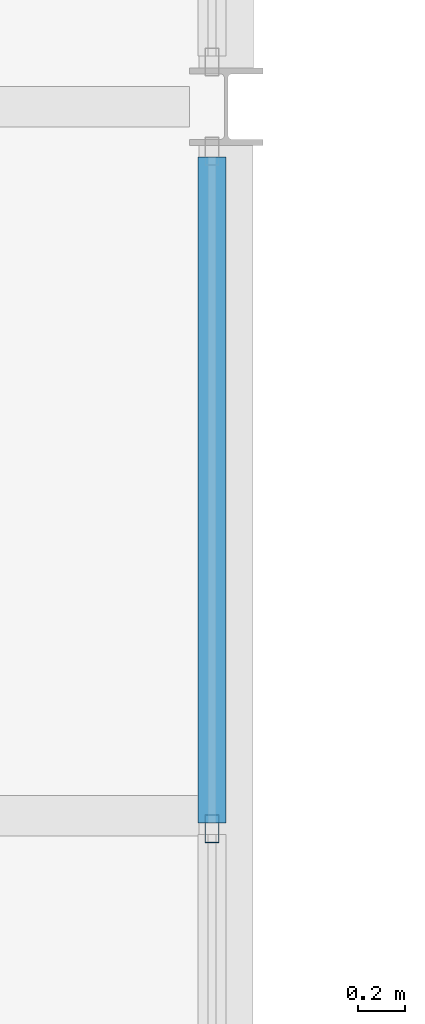
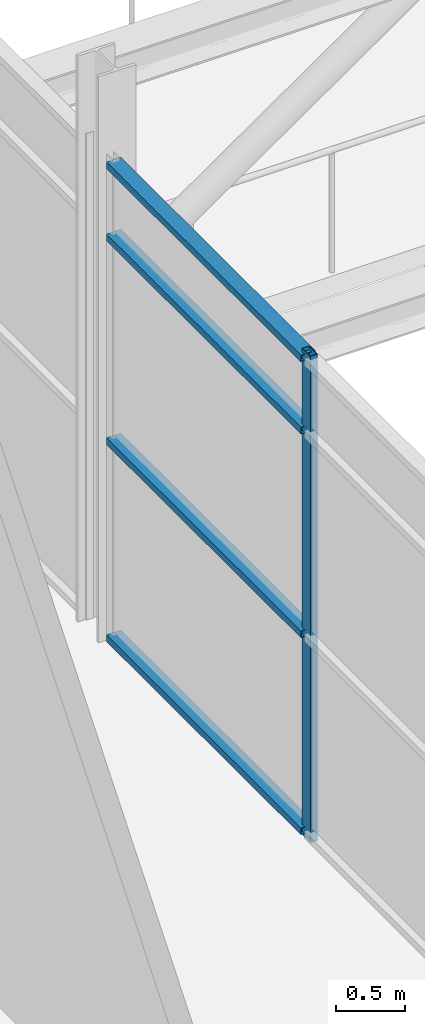
# One storey, part 44 of 115: 5 members, 1 element without a shape of its own.
"""IFC4 building model written with IfcOpenShell, lengths in metres."""

from ifc_helpers import new_model, si_unit, direction, frame, origin, origin_2d, place, context, subcontext, project, spatial, hollow_rectangle, extrude, material, layer, layer_set, material_profile, profile_set, type_object, element, aggregate, save


model = new_model("IFC4")

# Units and contexts
model_context = context("Model", 3, precision=1e-05, world=origin(), true_north=direction((0.0, 1.0)))
body_context = subcontext(model_context, "Body", "Model", "MODEL_VIEW")
ifc_project = project(units=[si_unit("LENGTHUNIT", "METRE"), si_unit("AREAUNIT", "SQUARE_METRE"), si_unit("VOLUMEUNIT", "CUBIC_METRE"), si_unit("PLANEANGLEUNIT", "RADIAN"), si_unit("MASSUNIT", "GRAM", prefix="KILO")], contexts=[model_context])

# Site, building, storey
site_placement = place(None, origin())
site = spatial("IfcSite", under=ifc_project, at=site_placement, CompositionType="ELEMENT")
building_placement = place(site_placement, origin())
building = spatial("IfcBuilding", under=site, at=building_placement, Name="Shorebreak Coast Museum", CompositionType="ELEMENT")
storey_placement = place(building_placement, frame((0.0, 0.0, 11.0)))
storey = spatial("IfcBuildingStorey", under=building, at=storey_placement, Name="L02", CompositionType="ELEMENT", Elevation=11.0)

# Curtain wall, members
ifc_material_1 = material(Name="Aluminium", Category="aluminium")
ifc_layer = layer(ifc_material_1, 0.1201171875)
ifc_layer_set = layer_set([ifc_layer], Name="Aluminium")
curtain_wall_type = type_object("IfcCurtainWallType", Name="Atrium fire screen", PredefinedType="NOTDEFINED", material=ifc_layer_set)
curtain_wall_placement = place(storey_placement, origin())
curtain_wall = element("IfcCurtainWall", 1, at=curtain_wall_placement, inside=storey, type_object=curtain_wall_type, Name="Atrium screen L02 W 27", PredefinedType="NOTDEFINED")
ifc_material_2 = material(Name="Aluminium", Category="aluminium")
ifc_material_profile_1 = material_profile(ifc_material_2, hollow_rectangle(XDim=0.06005859375, YDim=0.1201171875, WallThickness=0.00341796875, at=origin_2d()), Name="AL 120x60 RHS")
ifc_profile_set_1 = profile_set([ifc_material_profile_1], Name="Aluminium")
member_type_1 = type_object("IfcMemberType", Name="Screen mullion 50 x 120", PredefinedType="MULLION", material=ifc_profile_set_1)
member_1_placement = place(storey_placement, frame((62.93994140625, 68.945556640625, 0.0), z_axis=(0.0, 0.0, 1.0), x_axis=(-1.0, 0.0, 0.0)))
member_1 = element("IfcMember", 2, at=member_1_placement, type_object=member_type_1, Name="CW4 mullion 3", PredefinedType="MULLION", context=body_context, shape_type="SweptSolid", body=[
    extrude(hollow_rectangle(XDim=0.06005859375, YDim=0.1201171875, WallThickness=0.00341796875, at=origin_2d()), origin(), (0.0, 0.0, 1.0), 4.296875),
])
ifc_material_3 = material(Name="Aluminium", Category="aluminium")
ifc_material_profile_2 = material_profile(ifc_material_3, hollow_rectangle(XDim=0.1201171875, YDim=0.06005859375, WallThickness=0.00341796875, at=origin_2d()), Name="AL 60x120 RHS")
ifc_profile_set_2 = profile_set([ifc_material_profile_2], Name="Aluminium")
member_type_2 = type_object("IfcMemberType", Name="Screen transom 120 x 50", PredefinedType="USERDEFINED", material=ifc_profile_set_2)
member_2_placement = place(storey_placement, frame((62.93994140625, 68.970458984375, 0.06005859375), z_axis=(0.0, 1.0, 0.0), x_axis=(-1.0, 0.0, 0.0)))
member_2 = element("IfcMember", 3, at=member_2_placement, type_object=member_type_2, Name="CW4 transom 3.1", ObjectType="TRANSOM", PredefinedType="USERDEFINED", context=body_context, shape_type="SweptSolid", body=[
    extrude(hollow_rectangle(XDim=0.1201171875, YDim=0.06005859375, WallThickness=0.00341796875, at=origin_2d()), origin(), (0.0, 0.0, 1.0), 2.81591796875),
])
member_3_placement = place(storey_placement, frame((62.93994140625, 68.970458984375, 1.800048828125), z_axis=(0.0, 1.0, 0.0), x_axis=(-1.0, 0.0, 0.0)))
member_3 = element("IfcMember", 4, at=member_3_placement, type_object=member_type_2, Name="CW4 transom 3.2", ObjectType="TRANSOM", PredefinedType="USERDEFINED", context=body_context, shape_type="SweptSolid", body=[
    extrude(hollow_rectangle(XDim=0.1201171875, YDim=0.06005859375, WallThickness=0.00341796875, at=origin_2d()), origin(), (0.0, 0.0, 1.0), 2.81591796875),
])
member_4_placement = place(storey_placement, frame((62.93994140625, 68.970458984375, 3.60009765625), z_axis=(0.0, 1.0, 0.0), x_axis=(-1.0, 0.0, 0.0)))
member_4 = element("IfcMember", 5, at=member_4_placement, type_object=member_type_2, Name="CW4 transom 3.3", ObjectType="TRANSOM", PredefinedType="USERDEFINED", context=body_context, shape_type="SweptSolid", body=[
    extrude(hollow_rectangle(XDim=0.1201171875, YDim=0.06005859375, WallThickness=0.00341796875, at=origin_2d()), origin(), (0.0, 0.0, 1.0), 2.81591796875),
])
member_5_placement = place(storey_placement, frame((62.93994140625, 68.970458984375, 4.23681640625), z_axis=(0.0, 1.0, 0.0), x_axis=(-1.0, 0.0, 0.0)))
member_5 = element("IfcMember", 6, at=member_5_placement, type_object=member_type_2, Name="CW4 transom 3.4", ObjectType="TRANSOM", PredefinedType="USERDEFINED", context=body_context, shape_type="SweptSolid", body=[
    extrude(hollow_rectangle(XDim=0.1201171875, YDim=0.06005859375, WallThickness=0.00341796875, at=origin_2d()), origin(), (0.0, 0.0, 1.0), 2.81591796875),
])
aggregate(curtain_wall, [member_1, member_2, member_3, member_4, member_5])

save(model, "model.ifc")
